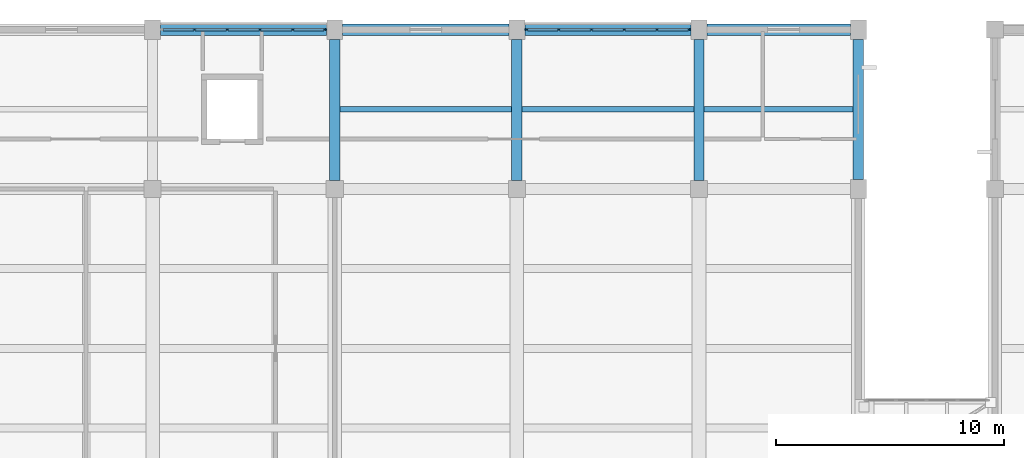
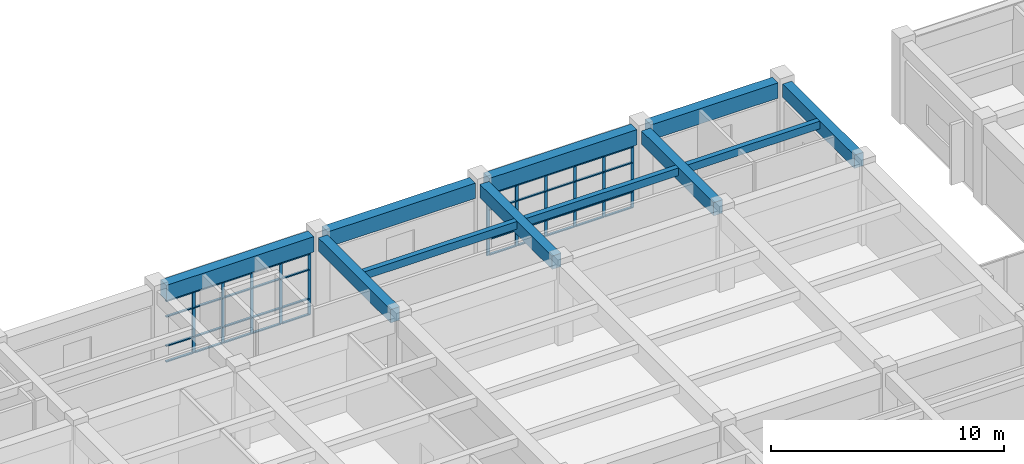
# One storey, part 31 of 70: 51 members, 11 beams, 2 elements without a shape of their own.
"""IFC4 building model written with IfcOpenShell, lengths in metres."""

import ifcopenshell
import ifcopenshell.guid

model = None  # the IFC model being written
_history = None  # IfcOwnerHistory: only IFC2X3 demands one
_inside = {}  # id of a spatial element -> (the spatial element, [elements in it])
_under = {}  # id of a project, library or spatial element -> (it, [spatial elements below it])
_declared = {}  # id of a project -> (the project, [libraries it declares])
_typed = {}  # id of a type object -> (the type object, [elements of that type])
_made_of = {}  # id of a material, layer set ... -> (it, [elements and type objects made of it])


def new_model(schema):
    """Start an empty IFC model of exactly this schema.

    Asked for "IFC4X3", IfcOpenShell would pick the latest addendum, in which some entities
    have other attributes; the version numbers below select the first issue.
    IFC2X3 requires an IfcOwnerHistory on every rooted entity: one is made here for all.
    """
    global model, _history
    if schema == "IFC4X3":
        model = ifcopenshell.file(schema_version=(4, 3, 0, 0))
    else:
        model = ifcopenshell.file(schema=schema)
    _inside.clear()
    _under.clear()
    _declared.clear()
    _typed.clear()
    _made_of.clear()
    _history = None
    if model.schema == "IFC2X3":
        org = make("IfcOrganization", Name="unknown")
        user = make(
            "IfcPersonAndOrganization",
            ThePerson=make("IfcPerson", FamilyName="unknown"),
            TheOrganization=org,
        )
        app = make(
            "IfcApplication",
            ApplicationDeveloper=org,
            Version="unknown",
            ApplicationFullName="unknown",
            ApplicationIdentifier="unknown",
        )
        _history = make(
            "IfcOwnerHistory",
            OwningUser=user,
            OwningApplication=app,
            ChangeAction="ADDED",
            CreationDate=0,
        )
    return model


def make(cls, **values):
    """One entity of the class cls with the attributes given. An attribute that is None is left unset."""
    return model.create_entity(
        cls, **{name: value for name, value in values.items() if value is not None}
    )


def rooted(cls, **values):
    """An entity with a GlobalId (a new one), such as an element, a storey or a relation."""
    return make(cls, GlobalId=ifcopenshell.guid.new(), OwnerHistory=_history, **values)


def si_unit(unit_type, name, prefix=None):
    """IfcSIUnit, for example si_unit("LENGTHUNIT", "METRE", prefix="MILLI")."""
    return make("IfcSIUnit", UnitType=unit_type, Prefix=prefix, Name=name)


def assignment(units):
    """IfcUnitAssignment: the units of a project."""
    return None if units is None else make("IfcUnitAssignment", Units=units)


def point(xyz):
    """IfcCartesianPoint."""
    return None if xyz is None else make("IfcCartesianPoint", Coordinates=xyz)


def direction(xyz):
    """IfcDirection."""
    return None if xyz is None else make("IfcDirection", DirectionRatios=xyz)


def frame(location, z_axis=None, x_axis=None):
    """IfcAxis2Placement3D, a coordinate frame: its origin and axes. An axis left out is left unset."""
    return make(
        "IfcAxis2Placement3D",
        Location=point(location),
        Axis=direction(z_axis),
        RefDirection=direction(x_axis),
    )


def frame_2d(location, x_axis=None):
    """IfcAxis2Placement2D, a coordinate frame in the plane: its origin and x axis."""
    return make(
        "IfcAxis2Placement2D", Location=point(location), RefDirection=direction(x_axis)
    )


def origin():
    """The frame at (0, 0, 0) with its axes left unset."""
    return frame((0.0, 0.0, 0.0))


def origin_2d():
    """The frame at (0, 0) in the plane with its x axis left unset."""
    return frame_2d((0.0, 0.0))


def place(relative_to, where):
    """IfcLocalPlacement: puts the frame where relative to a parent placement (None: the world)."""
    return make(
        "IfcLocalPlacement", PlacementRelTo=relative_to, RelativePlacement=where
    )


def context(
    kind, dimensions, precision=None, world=None, true_north=None, identifier=None
):
    """IfcGeometricRepresentationContext, for example the 3D "Model" context."""
    return make(
        "IfcGeometricRepresentationContext",
        ContextIdentifier=identifier,
        ContextType=kind,
        CoordinateSpaceDimension=dimensions,
        Precision=precision,
        WorldCoordinateSystem=world,
        TrueNorth=true_north,
    )


def subcontext(parent, identifier, kind, view, scale=None):
    """IfcGeometricRepresentationSubContext, for example "Body" below "Model"."""
    return make(
        "IfcGeometricRepresentationSubContext",
        ContextIdentifier=identifier,
        ContextType=kind,
        ParentContext=parent,
        TargetScale=scale,
        TargetView=view,
    )


def project(units=None, contexts=None):
    """IfcProject with its units and contexts."""
    return rooted(
        "IfcProject",
        Name="project",
        RepresentationContexts=contexts,
        UnitsInContext=assignment(units),
    )


def spatial(cls, under=None, at=None, **own):
    """A site, building, storey or space (cls), placed at a placement, below another one or the project."""
    s = rooted(cls, ObjectPlacement=at, **own)
    if under is not None:
        _under.setdefault(under.id(), (under, []))[1].append(s)
    return s


def profile(cls, at=None, kind="AREA", **sizes):
    """A parametric profile (cls). Its sizes go by their IFC names, for example OverallWidth=200.0."""
    return make(cls, ProfileType=kind, Position=at, **sizes)


def rectangle(**sizes):
    """IfcRectangleProfileDef."""
    return profile("IfcRectangleProfileDef", **sizes)


def extrude(swept, where, along, depth):
    """IfcExtrudedAreaSolid: the profile swept, set in the frame where, extruded along a direction by depth."""
    return make(
        "IfcExtrudedAreaSolid",
        SweptArea=swept,
        Position=where,
        ExtrudedDirection=direction(along),
        Depth=depth,
    )


def shape(context_of_items, identifier, shape_type, items):
    """IfcShapeRepresentation: the items that make up one representation, for example the "Body"."""
    return make(
        "IfcShapeRepresentation",
        ContextOfItems=context_of_items,
        RepresentationIdentifier=identifier,
        RepresentationType=shape_type,
        Items=items,
    )


def material(Name=None, Category=None):
    """IfcMaterial."""
    return make("IfcMaterial", Name=Name, Category=Category)


def layer(
    of_material, thickness, ventilated=None, Name=None, Category=None, Priority=None
):
    """IfcMaterialLayer: one layer of a wall or slab, of a material (None: an air gap)."""
    return make(
        "IfcMaterialLayer",
        Material=of_material,
        LayerThickness=thickness,
        IsVentilated=ventilated,
        Name=Name,
        Category=Category,
        Priority=Priority,
    )


def layer_set(layers, Name=None):
    """IfcMaterialLayerSet."""
    return make("IfcMaterialLayerSet", MaterialLayers=layers, LayerSetName=Name)


def material_profile(
    of_material, cross_section, Name=None, Category=None, Priority=None
):
    """IfcMaterialProfile: a cross section and its material."""
    return make(
        "IfcMaterialProfile",
        Name=Name,
        Material=of_material,
        Profile=cross_section,
        Priority=Priority,
        Category=Category,
    )


def profile_set(profiles, Name=None, composite=None):
    """IfcMaterialProfileSet."""
    return make(
        "IfcMaterialProfileSet",
        Name=Name,
        MaterialProfiles=profiles,
        CompositeProfile=composite,
    )


def made_of(thing, what):
    """Note that an element or type object is made of a material, layer set ...; save() writes the relation."""
    if what is not None:
        _made_of.setdefault(what.id(), (what, []))[1].append(thing)
    return thing


def type_object(cls, material=None, **own):
    """A type object (cls), such as IfcWallType, which elements share."""
    return made_of(rooted(cls, **own), material)


def element(
    cls,
    number,
    at=None,
    inside=None,
    cuts=None,
    type_object=None,
    material=None,
    context=None,
    identifier="Body",
    shape_type=None,
    held_by="IfcProductDefinitionShape",
    body=None,
    shapes=None,
    **own,
):
    """One element of the class cls, such as IfcWall. Its Tag is "e" and its number.

    at: its placement. inside: the storey or other place that contains it. cuts: it is an
    opening in that element (IfcRelVoidsElement). A single representation is given by context,
    identifier, shape_type and body (its items); several are given by shapes. held_by: the class
    of the entity that holds the representations. save() writes the other relations.
    """
    e = rooted(cls, Tag="e%d" % number, ObjectPlacement=at, **own)
    if body is not None:
        shapes = [shape(context, identifier, shape_type, body)]
    if shapes is not None:
        e.Representation = make(held_by, Representations=shapes)
    if inside is not None:
        _inside.setdefault(inside.id(), (inside, []))[1].append(e)
    if cuts is not None:
        rooted(
            "IfcRelVoidsElement", RelatingBuildingElement=cuts, RelatedOpeningElement=e
        )
    if type_object is not None:
        _typed.setdefault(type_object.id(), (type_object, []))[1].append(e)
    return made_of(e, material)


def aggregate(whole, parts):
    """IfcRelAggregates: a whole, such as a stair, and the parts it consists of."""
    return rooted("IfcRelAggregates", RelatingObject=whole, RelatedObjects=parts)


def save(model, path):
    """Write the relations noted so far, then the file.

    IfcRelAggregates (storeys below a building ...), IfcRelContainedInSpatialStructure (elements
    in a storey), IfcRelDefinesByType, IfcRelAssociatesMaterial and IfcRelDeclares: one each for
    every whole, place, type object, material and project.
    """
    for whole, parts in _under.values():
        aggregate(whole, parts)
    for where, things in _inside.values():
        rooted(
            "IfcRelContainedInSpatialStructure",
            RelatedElements=things,
            RelatingStructure=where,
        )
    for kind, things in _typed.values():
        rooted("IfcRelDefinesByType", RelatedObjects=things, RelatingType=kind)
    for what, things in _made_of.values():
        rooted("IfcRelAssociatesMaterial", RelatedObjects=things, RelatingMaterial=what)
    for by, libraries in _declared.values():
        rooted("IfcRelDeclares", RelatingContext=by, RelatedDefinitions=libraries)
    model.write(path)


model = new_model("IFC4")

# Units and contexts
model_context = context("Model", 3, precision=1e-05, world=origin(), true_north=direction((0.0, 1.0)))
body_context = subcontext(model_context, "Body", "Model", "MODEL_VIEW")
ifc_project = project(units=[si_unit("LENGTHUNIT", "METRE"), si_unit("AREAUNIT", "SQUARE_METRE"), si_unit("VOLUMEUNIT", "CUBIC_METRE"), si_unit("PLANEANGLEUNIT", "RADIAN"), si_unit("MASSUNIT", "GRAM", prefix="KILO")], contexts=[model_context])

# Site, building, storey
site_placement = place(None, origin())
site = spatial("IfcSite", under=ifc_project, at=site_placement, CompositionType="ELEMENT")
building_placement = place(site_placement, origin())
building = spatial("IfcBuilding", under=site, at=building_placement, Name="Naurynzar Civic Courthouse", CompositionType="ELEMENT")
storey_placement = place(building_placement, frame((0.0, 0.0, 5.39990234375)))
storey = spatial("IfcBuildingStorey", under=building, at=storey_placement, Name="L02", CompositionType="ELEMENT", Elevation=5.39990234375)

# Beams
ifc_material_1 = material(Name="Concrete C40/50", Category="concrete")
ifc_material_profile_1 = material_profile(ifc_material_1, rectangle(XDim=0.25, YDim=0.39990234375, at=origin_2d()), Name="RCB 250x400")
ifc_profile_set_1 = profile_set([ifc_material_profile_1], Name="Concrete C40/50")
beam_type_1 = type_object("IfcBeamType", Name="BM-JST-250x400", PredefinedType="JOIST", material=ifc_profile_set_1)
for number, where, z_axis, x_axis, name in (
    (1, (101.22509765625, 68.5, 4.0), (1.0, 0.0, 0.0), (0.0, 1.0, 0.0), "V2 secondary rib 558 L02"),
    (2, (109.22509765625, 68.5, 4.0), (1.0, 0.0, 0.0), (0.0, 1.0, 0.0), "V2 secondary rib 559 L02"),
):
    element("IfcBeam", number, at=place(storey_placement, frame(where, z_axis=z_axis, x_axis=x_axis)), inside=storey, type_object=beam_type_1, Name=name, PredefinedType="JOIST", context=body_context, shape_type="SweptSolid", body=[
        extrude(rectangle(XDim=0.25, YDim=0.39990234375, at=origin_2d()), origin(), (0.0, 0.0, 1.0), 7.5498046875),
    ])
beam_1_placement = place(storey_placement, frame((117.22509765625, 68.5, 4.0), z_axis=(1.0, 0.0, 0.0), x_axis=(0.0, 1.0, 0.0)))
element("IfcBeam", 3, at=beam_1_placement, inside=storey, type_object=beam_type_1, Name="V2 secondary rib 560 L02", PredefinedType="JOIST", context=body_context, shape_type="SweptSolid", body=[
    extrude(rectangle(XDim=0.25, YDim=0.39990234375, at=origin_2d()), origin(), (0.0, 0.0, 1.0), 6.5498046875),
])
ifc_material_2 = material(Name="Concrete C40/50", Category="concrete")
ifc_material_profile_2 = material_profile(ifc_material_2, rectangle(XDim=0.449951171875, YDim=0.699951171875, at=origin_2d()), Name="RCB 450x700")
ifc_profile_set_2 = profile_set([ifc_material_profile_2], Name="Concrete C40/50")
beam_type_2 = type_object("IfcBeamType", Name="BM-RC-450x700", PredefinedType="BEAM", material=ifc_profile_set_2)
for number, where, z_axis, x_axis, name in (
    (4, (101.0, 65.375, 3.85009765625), (0.0, 1.0, 0.0), (-1.0, 0.0, 0.0), "V2 girder Y-516 L02"),
    (5, (109.0, 65.375, 3.85009765625), (0.0, 1.0, 0.0), (-1.0, 0.0, 0.0), "V2 girder Y-519 L02"),
    (6, (117.0, 65.375, 3.85009765625), (0.0, 1.0, 0.0), (-1.0, 0.0, 0.0), "V2 girder Y-522 L02"),
):
    element("IfcBeam", number, at=place(storey_placement, frame(where, z_axis=z_axis, x_axis=x_axis)), inside=storey, type_object=beam_type_2, Name=name, PredefinedType="BEAM", context=body_context, shape_type="SweptSolid", body=[
        extrude(rectangle(XDim=0.449951171875, YDim=0.699951171875, at=origin_2d()), origin(), (0.0, 0.0, 1.0), 6.199951171875),
    ])
beam_2_placement = place(storey_placement, frame((124.0, 65.425048828125, 3.85009765625), z_axis=(0.0, 1.0, 0.0), x_axis=(-1.0, 0.0, 0.0)))
element("IfcBeam", 7, at=beam_2_placement, inside=storey, type_object=beam_type_2, Name="V2 girder Y-525 L02", PredefinedType="BEAM", context=body_context, shape_type="SweptSolid", body=[
    extrude(rectangle(XDim=0.449951171875, YDim=0.699951171875, at=origin_2d()), origin(), (0.0, 0.0, 1.0), 6.14990234375),
])
ifc_material_3 = material(Name="Concrete C40/50", Category="concrete")
ifc_material_profile_3 = material_profile(ifc_material_3, rectangle(XDim=0.5, YDim=0.800048828125, at=origin_2d()), Name="RCB 500x800")
ifc_profile_set_3 = profile_set([ifc_material_profile_3], Name="Concrete C40/50")
beam_type_3 = type_object("IfcBeamType", Name="BM-RC-500x800", PredefinedType="BEAM", material=ifc_profile_set_3)
for number, where, z_axis, x_axis, name in (
    (8, (93.35009765625, 72.0, 3.800048828125), (1.0, 0.0, 0.0), (0.0, 1.0, 0.0), "V2 beam X-495 L02"),
    (9, (101.35009765625, 72.0, 3.800048828125), (1.0, 0.0, 0.0), (0.0, 1.0, 0.0), "V2 beam X-496 L02"),
    (10, (109.35009765625, 72.0, 3.800048828125), (1.0, 0.0, 0.0), (0.0, 1.0, 0.0), "V2 beam X-497 L02"),
):
    element("IfcBeam", number, at=place(storey_placement, frame(where, z_axis=z_axis, x_axis=x_axis)), inside=storey, type_object=beam_type_3, Name=name, PredefinedType="BEAM", context=body_context, shape_type="SweptSolid", body=[
        extrude(rectangle(XDim=0.5, YDim=0.800048828125, at=origin_2d()), origin(), (0.0, 0.0, 1.0), 7.2998046875),
    ])
beam_3_placement = place(storey_placement, frame((117.35009765625, 72.0, 3.800048828125), z_axis=(1.0, 0.0, 0.0), x_axis=(0.0, 1.0, 0.0)))
element("IfcBeam", 11, at=beam_3_placement, inside=storey, type_object=beam_type_3, Name="V2 beam X-498 L02", PredefinedType="BEAM", context=body_context, shape_type="SweptSolid", body=[
    extrude(rectangle(XDim=0.5, YDim=0.800048828125, at=origin_2d()), origin(), (0.0, 0.0, 1.0), 6.2998046875),
])

# Curtain wall, members
ifc_material_4 = material(Name="Aluminium 6063-T6", Category="aluminium")
ifc_layer = layer(ifc_material_4, 0.179931640625)
ifc_layer_set = layer_set([ifc_layer], Name="CW-UNIT-1500")
curtain_wall_type = type_object("IfcCurtainWallType", Name="CW-UNIT-1500", PredefinedType="NOTDEFINED", material=ifc_layer_set)
curtain_wall_1_placement = place(storey_placement, origin())
curtain_wall_1 = element("IfcCurtainWall", 12, at=curtain_wall_1_placement, inside=storey, type_object=curtain_wall_type, Name="V2 unitised curtain wall 21 L02", PredefinedType="NOTDEFINED")
ifc_material_5 = material(Name="Aluminium 6063-T6", Category="aluminium")
ifc_material_profile_4 = material_profile(ifc_material_5, rectangle(XDim=0.06005859375, YDim=0.14990234375, at=origin_2d()), Name="ALU MULLION 60x150")
ifc_profile_set_4 = profile_set([ifc_material_profile_4], Name="Aluminium 6063-T6")
member_type_1 = type_object("IfcMemberType", Name="CWM-60x150", PredefinedType="MULLION", material=ifc_profile_set_4)
member_1_placement = place(storey_placement, frame((94.840087890625, 72.0, 0.0), z_axis=(0.0, 0.0, 1.0), x_axis=(0.0, 1.0, 0.0)))
member_1 = element("IfcMember", 13, at=member_1_placement, type_object=member_type_1, Name="CW-01 mullion 2", PredefinedType="MULLION", context=body_context, shape_type="SweptSolid", body=[
    extrude(rectangle(XDim=0.06005859375, YDim=0.14990234375, at=origin_2d()), origin(), (0.0, 0.0, 1.0), 3.22998046875),
])
member_2_placement = place(storey_placement, frame((96.280029296875, 72.0, 0.0), z_axis=(0.0, 0.0, 1.0), x_axis=(0.0, 1.0, 0.0)))
member_2 = element("IfcMember", 14, at=member_2_placement, type_object=member_type_1, Name="CW-01 mullion 3", PredefinedType="MULLION", context=body_context, shape_type="SweptSolid", body=[
    extrude(rectangle(XDim=0.06005859375, YDim=0.14990234375, at=origin_2d()), origin(), (0.0, 0.0, 1.0), 3.22998046875),
])
member_3_placement = place(storey_placement, frame((97.719970703125, 72.0, 0.0), z_axis=(0.0, 0.0, 1.0), x_axis=(0.0, 1.0, 0.0)))
member_3 = element("IfcMember", 15, at=member_3_placement, type_object=member_type_1, Name="CW-01 mullion 4", PredefinedType="MULLION", context=body_context, shape_type="SweptSolid", body=[
    extrude(rectangle(XDim=0.06005859375, YDim=0.14990234375, at=origin_2d()), origin(), (0.0, 0.0, 1.0), 3.22998046875),
])
member_4_placement = place(storey_placement, frame((99.159912109375, 72.0, 0.0), z_axis=(0.0, 0.0, 1.0), x_axis=(0.0, 1.0, 0.0)))
member_4 = element("IfcMember", 16, at=member_4_placement, type_object=member_type_1, Name="CW-01 mullion 5", PredefinedType="MULLION", context=body_context, shape_type="SweptSolid", body=[
    extrude(rectangle(XDim=0.06005859375, YDim=0.14990234375, at=origin_2d()), origin(), (0.0, 0.0, 1.0), 3.22998046875),
])
member_5_placement = place(storey_placement, frame((100.570068359375, 72.0, 0.0), z_axis=(0.0, 0.0, 1.0), x_axis=(0.0, 1.0, 0.0)))
member_5 = element("IfcMember", 17, at=member_5_placement, type_object=member_type_1, Name="CW-01 mullion 6", PredefinedType="MULLION", context=body_context, shape_type="SweptSolid", body=[
    extrude(rectangle(XDim=0.06005859375, YDim=0.14990234375, at=origin_2d()), origin(), (0.0, 0.0, 1.0), 3.22998046875),
])

curtain_wall_2_placement = place(storey_placement, origin())
curtain_wall_2 = element("IfcCurtainWall", 18, at=curtain_wall_2_placement, inside=storey, type_object=curtain_wall_type, Name="V2 unitised curtain wall 22 L02", PredefinedType="NOTDEFINED")
member_6_placement = place(storey_placement, frame((109.429931640625, 72.0, 0.0), z_axis=(0.0, 0.0, 1.0), x_axis=(0.0, 1.0, 0.0)))
member_6 = element("IfcMember", 19, at=member_6_placement, type_object=member_type_1, Name="CW-01 mullion 1", PredefinedType="MULLION", context=body_context, shape_type="SweptSolid", body=[
    extrude(rectangle(XDim=0.06005859375, YDim=0.14990234375, at=origin_2d()), origin(), (0.0, 0.0, 1.0), 3.22998046875),
])
member_7_placement = place(storey_placement, frame((110.840087890625, 72.0, 0.0), z_axis=(0.0, 0.0, 1.0), x_axis=(0.0, 1.0, 0.0)))
member_7 = element("IfcMember", 20, at=member_7_placement, type_object=member_type_1, Name="CW-01 mullion 2", PredefinedType="MULLION", context=body_context, shape_type="SweptSolid", body=[
    extrude(rectangle(XDim=0.06005859375, YDim=0.14990234375, at=origin_2d()), origin(), (0.0, 0.0, 1.0), 3.22998046875),
])
member_8_placement = place(storey_placement, frame((112.280029296875, 72.0, 0.0), z_axis=(0.0, 0.0, 1.0), x_axis=(0.0, 1.0, 0.0)))
member_8 = element("IfcMember", 21, at=member_8_placement, type_object=member_type_1, Name="CW-01 mullion 3", PredefinedType="MULLION", context=body_context, shape_type="SweptSolid", body=[
    extrude(rectangle(XDim=0.06005859375, YDim=0.14990234375, at=origin_2d()), origin(), (0.0, 0.0, 1.0), 3.22998046875),
])
member_9_placement = place(storey_placement, frame((113.719970703125, 72.0, 0.0), z_axis=(0.0, 0.0, 1.0), x_axis=(0.0, 1.0, 0.0)))
member_9 = element("IfcMember", 22, at=member_9_placement, type_object=member_type_1, Name="CW-01 mullion 4", PredefinedType="MULLION", context=body_context, shape_type="SweptSolid", body=[
    extrude(rectangle(XDim=0.06005859375, YDim=0.14990234375, at=origin_2d()), origin(), (0.0, 0.0, 1.0), 3.22998046875),
])
member_10_placement = place(storey_placement, frame((115.159912109375, 72.0, 0.0), z_axis=(0.0, 0.0, 1.0), x_axis=(0.0, 1.0, 0.0)))
member_10 = element("IfcMember", 23, at=member_10_placement, type_object=member_type_1, Name="CW-01 mullion 5", PredefinedType="MULLION", context=body_context, shape_type="SweptSolid", body=[
    extrude(rectangle(XDim=0.06005859375, YDim=0.14990234375, at=origin_2d()), origin(), (0.0, 0.0, 1.0), 3.22998046875),
])
member_11_placement = place(storey_placement, frame((116.570068359375, 72.0, 0.0), z_axis=(0.0, 0.0, 1.0), x_axis=(0.0, 1.0, 0.0)))
member_11 = element("IfcMember", 24, at=member_11_placement, type_object=member_type_1, Name="CW-01 mullion 6", PredefinedType="MULLION", context=body_context, shape_type="SweptSolid", body=[
    extrude(rectangle(XDim=0.06005859375, YDim=0.14990234375, at=origin_2d()), origin(), (0.0, 0.0, 1.0), 3.22998046875),
])

# Member
ifc_material_6 = material(Name="Aluminium 6063-T6", Category="aluminium")
ifc_material_profile_5 = material_profile(ifc_material_6, rectangle(XDim=0.110107421875, YDim=0.06005859375, at=origin_2d()), Name="ALU TRANSOM 60x110")
ifc_profile_set_5 = profile_set([ifc_material_profile_5], Name="Aluminium 6063-T6")
member_type_2 = type_object("IfcMemberType", Name="CWT-60x110", PredefinedType="USERDEFINED", material=ifc_profile_set_5)
member_12_placement = place(storey_placement, frame((93.4599609375, 72.0, 0.030029296875), z_axis=(1.0, 0.0, 0.0), x_axis=(0.0, 1.0, 0.0)))
member_12 = element("IfcMember", 25, at=member_12_placement, type_object=member_type_2, Name="CW-01 transom 1.1", ObjectType="TRANSOM", PredefinedType="USERDEFINED", context=body_context, shape_type="SweptSolid", body=[
    extrude(rectangle(XDim=0.110107421875, YDim=0.06005859375, at=origin_2d()), origin(), (0.0, 0.0, 1.0), 1.35009765625),
])

member_13_placement = place(storey_placement, frame((93.4599609375, 72.0, 0.85009765625), z_axis=(1.0, 0.0, 0.0), x_axis=(0.0, 1.0, 0.0)))
member_13 = element("IfcMember", 26, at=member_13_placement, type_object=member_type_2, Name="CW-01 transom 1.2", ObjectType="TRANSOM", PredefinedType="USERDEFINED", context=body_context, shape_type="SweptSolid", body=[
    extrude(rectangle(XDim=0.110107421875, YDim=0.06005859375, at=origin_2d()), origin(), (0.0, 0.0, 1.0), 1.35009765625),
])

member_14_placement = place(storey_placement, frame((93.4599609375, 72.0, 2.380126953125), z_axis=(1.0, 0.0, 0.0), x_axis=(0.0, 1.0, 0.0)))
member_14 = element("IfcMember", 27, at=member_14_placement, type_object=member_type_2, Name="CW-01 transom 1.3", ObjectType="TRANSOM", PredefinedType="USERDEFINED", context=body_context, shape_type="SweptSolid", body=[
    extrude(rectangle(XDim=0.110107421875, YDim=0.06005859375, at=origin_2d()), origin(), (0.0, 0.0, 1.0), 1.35009765625),
])

member_15_placement = place(storey_placement, frame((93.4599609375, 72.0, 3.2001953125), z_axis=(1.0, 0.0, 0.0), x_axis=(0.0, 1.0, 0.0)))
member_15 = element("IfcMember", 28, at=member_15_placement, type_object=member_type_2, Name="CW-01 transom 1.4", ObjectType="TRANSOM", PredefinedType="USERDEFINED", context=body_context, shape_type="SweptSolid", body=[
    extrude(rectangle(XDim=0.110107421875, YDim=0.06005859375, at=origin_2d()), origin(), (0.0, 0.0, 1.0), 1.35009765625),
])

member_16_placement = place(storey_placement, frame((94.8701171875, 72.0, 0.030029296875), z_axis=(1.0, 0.0, 0.0), x_axis=(0.0, 1.0, 0.0)))
member_16 = element("IfcMember", 29, at=member_16_placement, type_object=member_type_2, Name="CW-01 transom 2.1", ObjectType="TRANSOM", PredefinedType="USERDEFINED", context=body_context, shape_type="SweptSolid", body=[
    extrude(rectangle(XDim=0.110107421875, YDim=0.06005859375, at=origin_2d()), origin(), (0.0, 0.0, 1.0), 1.3798828125),
])

member_17_placement = place(storey_placement, frame((94.8701171875, 72.0, 0.85009765625), z_axis=(1.0, 0.0, 0.0), x_axis=(0.0, 1.0, 0.0)))
member_17 = element("IfcMember", 30, at=member_17_placement, type_object=member_type_2, Name="CW-01 transom 2.2", ObjectType="TRANSOM", PredefinedType="USERDEFINED", context=body_context, shape_type="SweptSolid", body=[
    extrude(rectangle(XDim=0.110107421875, YDim=0.06005859375, at=origin_2d()), origin(), (0.0, 0.0, 1.0), 1.3798828125),
])

member_18_placement = place(storey_placement, frame((94.8701171875, 72.0, 2.380126953125), z_axis=(1.0, 0.0, 0.0), x_axis=(0.0, 1.0, 0.0)))
member_18 = element("IfcMember", 31, at=member_18_placement, type_object=member_type_2, Name="CW-01 transom 2.3", ObjectType="TRANSOM", PredefinedType="USERDEFINED", context=body_context, shape_type="SweptSolid", body=[
    extrude(rectangle(XDim=0.110107421875, YDim=0.06005859375, at=origin_2d()), origin(), (0.0, 0.0, 1.0), 1.3798828125),
])

member_19_placement = place(storey_placement, frame((94.8701171875, 72.0, 3.2001953125), z_axis=(1.0, 0.0, 0.0), x_axis=(0.0, 1.0, 0.0)))
member_19 = element("IfcMember", 32, at=member_19_placement, type_object=member_type_2, Name="CW-01 transom 2.4", ObjectType="TRANSOM", PredefinedType="USERDEFINED", context=body_context, shape_type="SweptSolid", body=[
    extrude(rectangle(XDim=0.110107421875, YDim=0.06005859375, at=origin_2d()), origin(), (0.0, 0.0, 1.0), 1.3798828125),
])

member_20_placement = place(storey_placement, frame((96.31005859375, 72.0, 0.030029296875), z_axis=(1.0, 0.0, 0.0), x_axis=(0.0, 1.0, 0.0)))
member_20 = element("IfcMember", 33, at=member_20_placement, type_object=member_type_2, Name="CW-01 transom 3.1", ObjectType="TRANSOM", PredefinedType="USERDEFINED", context=body_context, shape_type="SweptSolid", body=[
    extrude(rectangle(XDim=0.110107421875, YDim=0.06005859375, at=origin_2d()), origin(), (0.0, 0.0, 1.0), 1.3798828125),
])

member_21_placement = place(storey_placement, frame((96.31005859375, 72.0, 0.85009765625), z_axis=(1.0, 0.0, 0.0), x_axis=(0.0, 1.0, 0.0)))
member_21 = element("IfcMember", 34, at=member_21_placement, type_object=member_type_2, Name="CW-01 transom 3.2", ObjectType="TRANSOM", PredefinedType="USERDEFINED", context=body_context, shape_type="SweptSolid", body=[
    extrude(rectangle(XDim=0.110107421875, YDim=0.06005859375, at=origin_2d()), origin(), (0.0, 0.0, 1.0), 1.3798828125),
])

member_22_placement = place(storey_placement, frame((96.31005859375, 72.0, 2.380126953125), z_axis=(1.0, 0.0, 0.0), x_axis=(0.0, 1.0, 0.0)))
member_22 = element("IfcMember", 35, at=member_22_placement, type_object=member_type_2, Name="CW-01 transom 3.3", ObjectType="TRANSOM", PredefinedType="USERDEFINED", context=body_context, shape_type="SweptSolid", body=[
    extrude(rectangle(XDim=0.110107421875, YDim=0.06005859375, at=origin_2d()), origin(), (0.0, 0.0, 1.0), 1.3798828125),
])

member_23_placement = place(storey_placement, frame((96.31005859375, 72.0, 3.2001953125), z_axis=(1.0, 0.0, 0.0), x_axis=(0.0, 1.0, 0.0)))
member_23 = element("IfcMember", 36, at=member_23_placement, type_object=member_type_2, Name="CW-01 transom 3.4", ObjectType="TRANSOM", PredefinedType="USERDEFINED", context=body_context, shape_type="SweptSolid", body=[
    extrude(rectangle(XDim=0.110107421875, YDim=0.06005859375, at=origin_2d()), origin(), (0.0, 0.0, 1.0), 1.3798828125),
])

member_24_placement = place(storey_placement, frame((97.75, 72.0, 0.030029296875), z_axis=(1.0, 0.0, 0.0), x_axis=(0.0, 1.0, 0.0)))
member_24 = element("IfcMember", 37, at=member_24_placement, type_object=member_type_2, Name="CW-01 transom 4.1", ObjectType="TRANSOM", PredefinedType="USERDEFINED", context=body_context, shape_type="SweptSolid", body=[
    extrude(rectangle(XDim=0.110107421875, YDim=0.06005859375, at=origin_2d()), origin(), (0.0, 0.0, 1.0), 1.3798828125),
])

member_25_placement = place(storey_placement, frame((97.75, 72.0, 0.85009765625), z_axis=(1.0, 0.0, 0.0), x_axis=(0.0, 1.0, 0.0)))
member_25 = element("IfcMember", 38, at=member_25_placement, type_object=member_type_2, Name="CW-01 transom 4.2", ObjectType="TRANSOM", PredefinedType="USERDEFINED", context=body_context, shape_type="SweptSolid", body=[
    extrude(rectangle(XDim=0.110107421875, YDim=0.06005859375, at=origin_2d()), origin(), (0.0, 0.0, 1.0), 1.3798828125),
])

member_26_placement = place(storey_placement, frame((97.75, 72.0, 2.380126953125), z_axis=(1.0, 0.0, 0.0), x_axis=(0.0, 1.0, 0.0)))
member_26 = element("IfcMember", 39, at=member_26_placement, type_object=member_type_2, Name="CW-01 transom 4.3", ObjectType="TRANSOM", PredefinedType="USERDEFINED", context=body_context, shape_type="SweptSolid", body=[
    extrude(rectangle(XDim=0.110107421875, YDim=0.06005859375, at=origin_2d()), origin(), (0.0, 0.0, 1.0), 1.3798828125),
])

member_27_placement = place(storey_placement, frame((97.75, 72.0, 3.2001953125), z_axis=(1.0, 0.0, 0.0), x_axis=(0.0, 1.0, 0.0)))
member_27 = element("IfcMember", 40, at=member_27_placement, type_object=member_type_2, Name="CW-01 transom 4.4", ObjectType="TRANSOM", PredefinedType="USERDEFINED", context=body_context, shape_type="SweptSolid", body=[
    extrude(rectangle(XDim=0.110107421875, YDim=0.06005859375, at=origin_2d()), origin(), (0.0, 0.0, 1.0), 1.3798828125),
])

member_28_placement = place(storey_placement, frame((99.18994140625, 72.0, 0.030029296875), z_axis=(1.0, 0.0, 0.0), x_axis=(0.0, 1.0, 0.0)))
member_28 = element("IfcMember", 41, at=member_28_placement, type_object=member_type_2, Name="CW-01 transom 5.1", ObjectType="TRANSOM", PredefinedType="USERDEFINED", context=body_context, shape_type="SweptSolid", body=[
    extrude(rectangle(XDim=0.110107421875, YDim=0.06005859375, at=origin_2d()), origin(), (0.0, 0.0, 1.0), 1.35009765625),
])

member_29_placement = place(storey_placement, frame((99.18994140625, 72.0, 0.85009765625), z_axis=(1.0, 0.0, 0.0), x_axis=(0.0, 1.0, 0.0)))
member_29 = element("IfcMember", 42, at=member_29_placement, type_object=member_type_2, Name="CW-01 transom 5.2", ObjectType="TRANSOM", PredefinedType="USERDEFINED", context=body_context, shape_type="SweptSolid", body=[
    extrude(rectangle(XDim=0.110107421875, YDim=0.06005859375, at=origin_2d()), origin(), (0.0, 0.0, 1.0), 1.35009765625),
])

member_30_placement = place(storey_placement, frame((99.18994140625, 72.0, 2.380126953125), z_axis=(1.0, 0.0, 0.0), x_axis=(0.0, 1.0, 0.0)))
member_30 = element("IfcMember", 43, at=member_30_placement, type_object=member_type_2, Name="CW-01 transom 5.3", ObjectType="TRANSOM", PredefinedType="USERDEFINED", context=body_context, shape_type="SweptSolid", body=[
    extrude(rectangle(XDim=0.110107421875, YDim=0.06005859375, at=origin_2d()), origin(), (0.0, 0.0, 1.0), 1.35009765625),
])

member_31_placement = place(storey_placement, frame((99.18994140625, 72.0, 3.2001953125), z_axis=(1.0, 0.0, 0.0), x_axis=(0.0, 1.0, 0.0)))
member_31 = element("IfcMember", 44, at=member_31_placement, type_object=member_type_2, Name="CW-01 transom 5.4", ObjectType="TRANSOM", PredefinedType="USERDEFINED", context=body_context, shape_type="SweptSolid", body=[
    extrude(rectangle(XDim=0.110107421875, YDim=0.06005859375, at=origin_2d()), origin(), (0.0, 0.0, 1.0), 1.35009765625),
])

aggregate(curtain_wall_1, [member_1, member_2, member_3, member_4, member_5, member_12, member_13, member_14, member_15, member_16, member_17, member_18, member_19, member_20, member_21, member_22, member_23, member_24, member_25, member_26, member_27, member_28, member_29, member_30, member_31])

member_32_placement = place(storey_placement, frame((109.4599609375, 72.0, 0.030029296875), z_axis=(1.0, 0.0, 0.0), x_axis=(0.0, 1.0, 0.0)))
member_32 = element("IfcMember", 45, at=member_32_placement, type_object=member_type_2, Name="CW-01 transom 1.1", ObjectType="TRANSOM", PredefinedType="USERDEFINED", context=body_context, shape_type="SweptSolid", body=[
    extrude(rectangle(XDim=0.110107421875, YDim=0.06005859375, at=origin_2d()), origin(), (0.0, 0.0, 1.0), 1.35009765625),
])

member_33_placement = place(storey_placement, frame((109.4599609375, 72.0, 0.85009765625), z_axis=(1.0, 0.0, 0.0), x_axis=(0.0, 1.0, 0.0)))
member_33 = element("IfcMember", 46, at=member_33_placement, type_object=member_type_2, Name="CW-01 transom 1.2", ObjectType="TRANSOM", PredefinedType="USERDEFINED", context=body_context, shape_type="SweptSolid", body=[
    extrude(rectangle(XDim=0.110107421875, YDim=0.06005859375, at=origin_2d()), origin(), (0.0, 0.0, 1.0), 1.35009765625),
])

member_34_placement = place(storey_placement, frame((109.4599609375, 72.0, 2.380126953125), z_axis=(1.0, 0.0, 0.0), x_axis=(0.0, 1.0, 0.0)))
member_34 = element("IfcMember", 47, at=member_34_placement, type_object=member_type_2, Name="CW-01 transom 1.3", ObjectType="TRANSOM", PredefinedType="USERDEFINED", context=body_context, shape_type="SweptSolid", body=[
    extrude(rectangle(XDim=0.110107421875, YDim=0.06005859375, at=origin_2d()), origin(), (0.0, 0.0, 1.0), 1.35009765625),
])

member_35_placement = place(storey_placement, frame((109.4599609375, 72.0, 3.2001953125), z_axis=(1.0, 0.0, 0.0), x_axis=(0.0, 1.0, 0.0)))
member_35 = element("IfcMember", 48, at=member_35_placement, type_object=member_type_2, Name="CW-01 transom 1.4", ObjectType="TRANSOM", PredefinedType="USERDEFINED", context=body_context, shape_type="SweptSolid", body=[
    extrude(rectangle(XDim=0.110107421875, YDim=0.06005859375, at=origin_2d()), origin(), (0.0, 0.0, 1.0), 1.35009765625),
])

member_36_placement = place(storey_placement, frame((110.8701171875, 72.0, 0.030029296875), z_axis=(1.0, 0.0, 0.0), x_axis=(0.0, 1.0, 0.0)))
member_36 = element("IfcMember", 49, at=member_36_placement, type_object=member_type_2, Name="CW-01 transom 2.1", ObjectType="TRANSOM", PredefinedType="USERDEFINED", context=body_context, shape_type="SweptSolid", body=[
    extrude(rectangle(XDim=0.110107421875, YDim=0.06005859375, at=origin_2d()), origin(), (0.0, 0.0, 1.0), 1.3798828125),
])

member_37_placement = place(storey_placement, frame((110.8701171875, 72.0, 0.85009765625), z_axis=(1.0, 0.0, 0.0), x_axis=(0.0, 1.0, 0.0)))
member_37 = element("IfcMember", 50, at=member_37_placement, type_object=member_type_2, Name="CW-01 transom 2.2", ObjectType="TRANSOM", PredefinedType="USERDEFINED", context=body_context, shape_type="SweptSolid", body=[
    extrude(rectangle(XDim=0.110107421875, YDim=0.06005859375, at=origin_2d()), origin(), (0.0, 0.0, 1.0), 1.3798828125),
])

member_38_placement = place(storey_placement, frame((110.8701171875, 72.0, 2.380126953125), z_axis=(1.0, 0.0, 0.0), x_axis=(0.0, 1.0, 0.0)))
member_38 = element("IfcMember", 51, at=member_38_placement, type_object=member_type_2, Name="CW-01 transom 2.3", ObjectType="TRANSOM", PredefinedType="USERDEFINED", context=body_context, shape_type="SweptSolid", body=[
    extrude(rectangle(XDim=0.110107421875, YDim=0.06005859375, at=origin_2d()), origin(), (0.0, 0.0, 1.0), 1.3798828125),
])

member_39_placement = place(storey_placement, frame((110.8701171875, 72.0, 3.2001953125), z_axis=(1.0, 0.0, 0.0), x_axis=(0.0, 1.0, 0.0)))
member_39 = element("IfcMember", 52, at=member_39_placement, type_object=member_type_2, Name="CW-01 transom 2.4", ObjectType="TRANSOM", PredefinedType="USERDEFINED", context=body_context, shape_type="SweptSolid", body=[
    extrude(rectangle(XDim=0.110107421875, YDim=0.06005859375, at=origin_2d()), origin(), (0.0, 0.0, 1.0), 1.3798828125),
])

member_40_placement = place(storey_placement, frame((112.31005859375, 72.0, 0.030029296875), z_axis=(1.0, 0.0, 0.0), x_axis=(0.0, 1.0, 0.0)))
member_40 = element("IfcMember", 53, at=member_40_placement, type_object=member_type_2, Name="CW-01 transom 3.1", ObjectType="TRANSOM", PredefinedType="USERDEFINED", context=body_context, shape_type="SweptSolid", body=[
    extrude(rectangle(XDim=0.110107421875, YDim=0.06005859375, at=origin_2d()), origin(), (0.0, 0.0, 1.0), 1.3798828125),
])

member_41_placement = place(storey_placement, frame((112.31005859375, 72.0, 0.85009765625), z_axis=(1.0, 0.0, 0.0), x_axis=(0.0, 1.0, 0.0)))
member_41 = element("IfcMember", 54, at=member_41_placement, type_object=member_type_2, Name="CW-01 transom 3.2", ObjectType="TRANSOM", PredefinedType="USERDEFINED", context=body_context, shape_type="SweptSolid", body=[
    extrude(rectangle(XDim=0.110107421875, YDim=0.06005859375, at=origin_2d()), origin(), (0.0, 0.0, 1.0), 1.3798828125),
])

member_42_placement = place(storey_placement, frame((112.31005859375, 72.0, 2.380126953125), z_axis=(1.0, 0.0, 0.0), x_axis=(0.0, 1.0, 0.0)))
member_42 = element("IfcMember", 55, at=member_42_placement, type_object=member_type_2, Name="CW-01 transom 3.3", ObjectType="TRANSOM", PredefinedType="USERDEFINED", context=body_context, shape_type="SweptSolid", body=[
    extrude(rectangle(XDim=0.110107421875, YDim=0.06005859375, at=origin_2d()), origin(), (0.0, 0.0, 1.0), 1.3798828125),
])

member_43_placement = place(storey_placement, frame((112.31005859375, 72.0, 3.2001953125), z_axis=(1.0, 0.0, 0.0), x_axis=(0.0, 1.0, 0.0)))
member_43 = element("IfcMember", 56, at=member_43_placement, type_object=member_type_2, Name="CW-01 transom 3.4", ObjectType="TRANSOM", PredefinedType="USERDEFINED", context=body_context, shape_type="SweptSolid", body=[
    extrude(rectangle(XDim=0.110107421875, YDim=0.06005859375, at=origin_2d()), origin(), (0.0, 0.0, 1.0), 1.3798828125),
])

member_44_placement = place(storey_placement, frame((113.75, 72.0, 0.030029296875), z_axis=(1.0, 0.0, 0.0), x_axis=(0.0, 1.0, 0.0)))
member_44 = element("IfcMember", 57, at=member_44_placement, type_object=member_type_2, Name="CW-01 transom 4.1", ObjectType="TRANSOM", PredefinedType="USERDEFINED", context=body_context, shape_type="SweptSolid", body=[
    extrude(rectangle(XDim=0.110107421875, YDim=0.06005859375, at=origin_2d()), origin(), (0.0, 0.0, 1.0), 1.3798828125),
])

member_45_placement = place(storey_placement, frame((113.75, 72.0, 0.85009765625), z_axis=(1.0, 0.0, 0.0), x_axis=(0.0, 1.0, 0.0)))
member_45 = element("IfcMember", 58, at=member_45_placement, type_object=member_type_2, Name="CW-01 transom 4.2", ObjectType="TRANSOM", PredefinedType="USERDEFINED", context=body_context, shape_type="SweptSolid", body=[
    extrude(rectangle(XDim=0.110107421875, YDim=0.06005859375, at=origin_2d()), origin(), (0.0, 0.0, 1.0), 1.3798828125),
])

member_46_placement = place(storey_placement, frame((113.75, 72.0, 2.380126953125), z_axis=(1.0, 0.0, 0.0), x_axis=(0.0, 1.0, 0.0)))
member_46 = element("IfcMember", 59, at=member_46_placement, type_object=member_type_2, Name="CW-01 transom 4.3", ObjectType="TRANSOM", PredefinedType="USERDEFINED", context=body_context, shape_type="SweptSolid", body=[
    extrude(rectangle(XDim=0.110107421875, YDim=0.06005859375, at=origin_2d()), origin(), (0.0, 0.0, 1.0), 1.3798828125),
])

member_47_placement = place(storey_placement, frame((113.75, 72.0, 3.2001953125), z_axis=(1.0, 0.0, 0.0), x_axis=(0.0, 1.0, 0.0)))
member_47 = element("IfcMember", 60, at=member_47_placement, type_object=member_type_2, Name="CW-01 transom 4.4", ObjectType="TRANSOM", PredefinedType="USERDEFINED", context=body_context, shape_type="SweptSolid", body=[
    extrude(rectangle(XDim=0.110107421875, YDim=0.06005859375, at=origin_2d()), origin(), (0.0, 0.0, 1.0), 1.3798828125),
])

member_48_placement = place(storey_placement, frame((115.18994140625, 72.0, 0.030029296875), z_axis=(1.0, 0.0, 0.0), x_axis=(0.0, 1.0, 0.0)))
member_48 = element("IfcMember", 61, at=member_48_placement, type_object=member_type_2, Name="CW-01 transom 5.1", ObjectType="TRANSOM", PredefinedType="USERDEFINED", context=body_context, shape_type="SweptSolid", body=[
    extrude(rectangle(XDim=0.110107421875, YDim=0.06005859375, at=origin_2d()), origin(), (0.0, 0.0, 1.0), 1.35009765625),
])

member_49_placement = place(storey_placement, frame((115.18994140625, 72.0, 0.85009765625), z_axis=(1.0, 0.0, 0.0), x_axis=(0.0, 1.0, 0.0)))
member_49 = element("IfcMember", 62, at=member_49_placement, type_object=member_type_2, Name="CW-01 transom 5.2", ObjectType="TRANSOM", PredefinedType="USERDEFINED", context=body_context, shape_type="SweptSolid", body=[
    extrude(rectangle(XDim=0.110107421875, YDim=0.06005859375, at=origin_2d()), origin(), (0.0, 0.0, 1.0), 1.35009765625),
])

member_50_placement = place(storey_placement, frame((115.18994140625, 72.0, 2.380126953125), z_axis=(1.0, 0.0, 0.0), x_axis=(0.0, 1.0, 0.0)))
member_50 = element("IfcMember", 63, at=member_50_placement, type_object=member_type_2, Name="CW-01 transom 5.3", ObjectType="TRANSOM", PredefinedType="USERDEFINED", context=body_context, shape_type="SweptSolid", body=[
    extrude(rectangle(XDim=0.110107421875, YDim=0.06005859375, at=origin_2d()), origin(), (0.0, 0.0, 1.0), 1.35009765625),
])

member_51_placement = place(storey_placement, frame((115.18994140625, 72.0, 3.2001953125), z_axis=(1.0, 0.0, 0.0), x_axis=(0.0, 1.0, 0.0)))
member_51 = element("IfcMember", 64, at=member_51_placement, type_object=member_type_2, Name="CW-01 transom 5.4", ObjectType="TRANSOM", PredefinedType="USERDEFINED", context=body_context, shape_type="SweptSolid", body=[
    extrude(rectangle(XDim=0.110107421875, YDim=0.06005859375, at=origin_2d()), origin(), (0.0, 0.0, 1.0), 1.35009765625),
])

aggregate(curtain_wall_2, [member_6, member_7, member_8, member_9, member_10, member_11, member_32, member_33, member_34, member_35, member_36, member_37, member_38, member_39, member_40, member_41, member_42, member_43, member_44, member_45, member_46, member_47, member_48, member_49, member_50, member_51])

save(model, "model.ifc")
